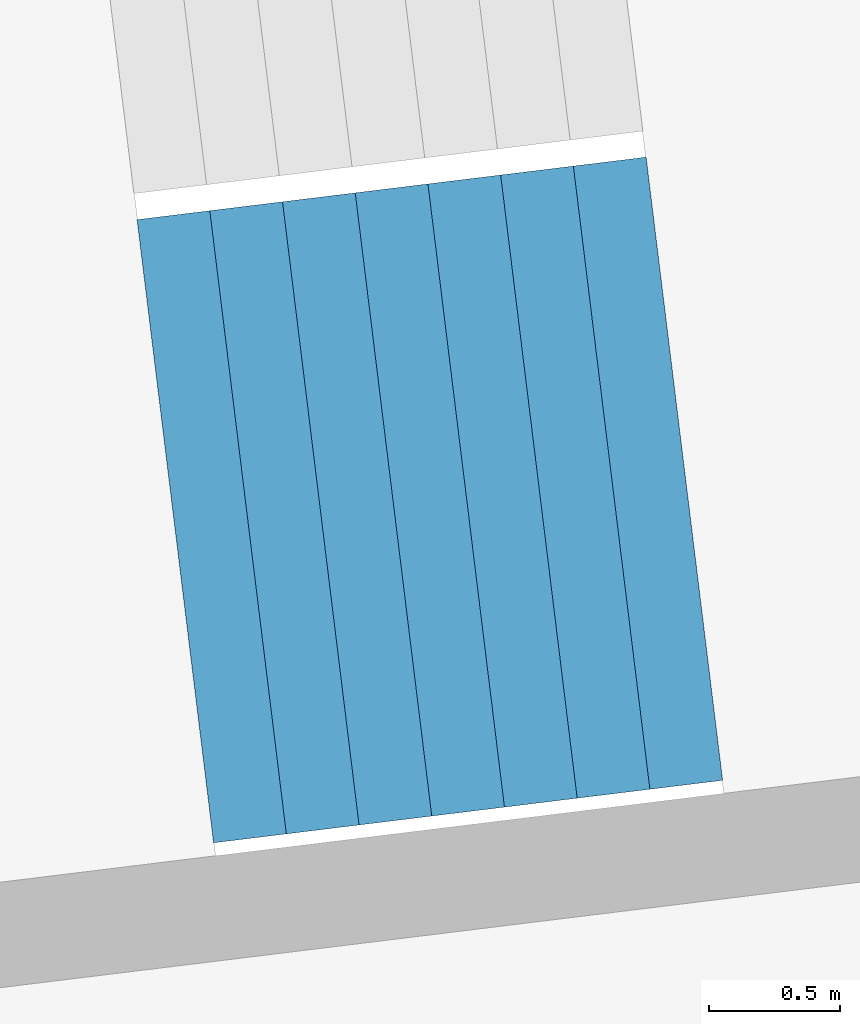
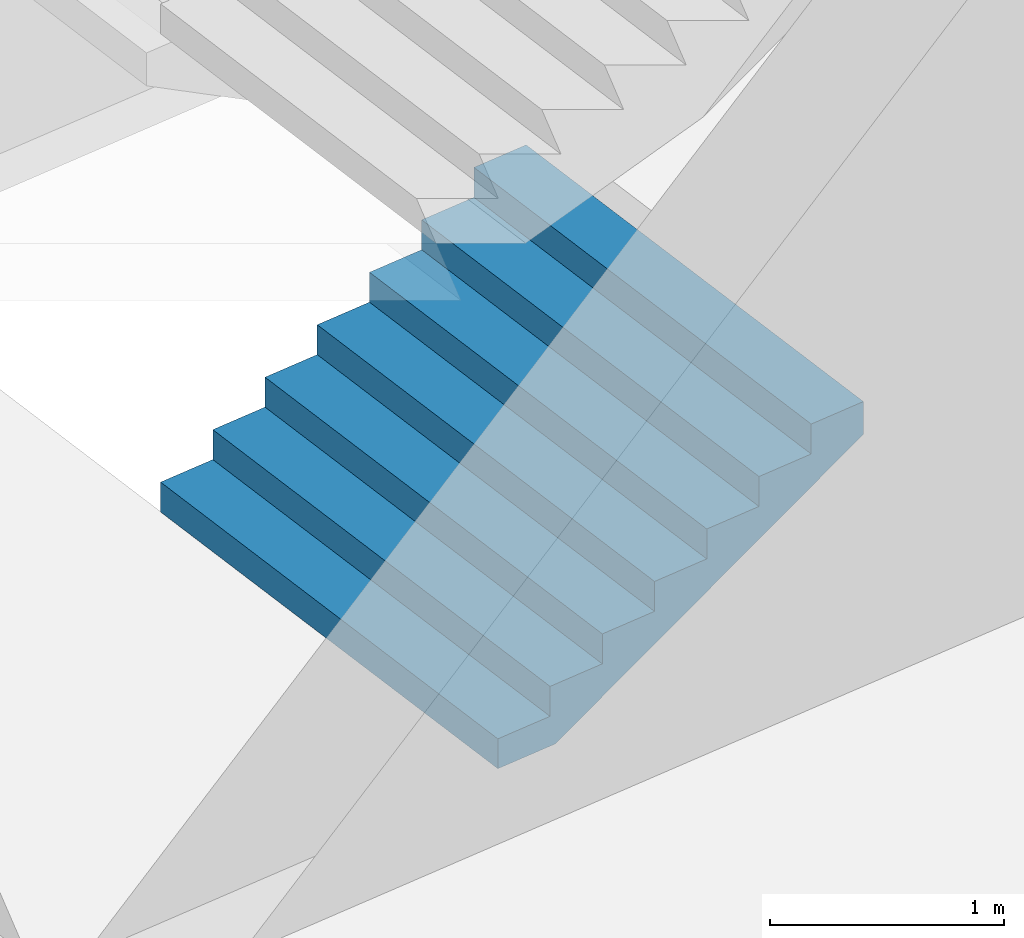
# One storey, part 57 of 73: 1 stair flight, 1 element without a shape of its own.
"""IFC4 building model written with IfcOpenShell, lengths in metres."""

import ifcopenshell
import ifcopenshell.guid

model = None  # the IFC model being written
_history = None  # IfcOwnerHistory: only IFC2X3 demands one
_inside = {}  # id of a spatial element -> (the spatial element, [elements in it])
_under = {}  # id of a project, library or spatial element -> (it, [spatial elements below it])
_declared = {}  # id of a project -> (the project, [libraries it declares])
_typed = {}  # id of a type object -> (the type object, [elements of that type])
_made_of = {}  # id of a material, layer set ... -> (it, [elements and type objects made of it])


def new_model(schema):
    """Start an empty IFC model of exactly this schema.

    Asked for "IFC4X3", IfcOpenShell would pick the latest addendum, in which some entities
    have other attributes; the version numbers below select the first issue.
    IFC2X3 requires an IfcOwnerHistory on every rooted entity: one is made here for all.
    """
    global model, _history
    if schema == "IFC4X3":
        model = ifcopenshell.file(schema_version=(4, 3, 0, 0))
    else:
        model = ifcopenshell.file(schema=schema)
    _inside.clear()
    _under.clear()
    _declared.clear()
    _typed.clear()
    _made_of.clear()
    _history = None
    if model.schema == "IFC2X3":
        org = make("IfcOrganization", Name="unknown")
        user = make(
            "IfcPersonAndOrganization",
            ThePerson=make("IfcPerson", FamilyName="unknown"),
            TheOrganization=org,
        )
        app = make(
            "IfcApplication",
            ApplicationDeveloper=org,
            Version="unknown",
            ApplicationFullName="unknown",
            ApplicationIdentifier="unknown",
        )
        _history = make(
            "IfcOwnerHistory",
            OwningUser=user,
            OwningApplication=app,
            ChangeAction="ADDED",
            CreationDate=0,
        )
    return model


def make(cls, **values):
    """One entity of the class cls with the attributes given. An attribute that is None is left unset."""
    return model.create_entity(
        cls, **{name: value for name, value in values.items() if value is not None}
    )


def rooted(cls, **values):
    """An entity with a GlobalId (a new one), such as an element, a storey or a relation."""
    return make(cls, GlobalId=ifcopenshell.guid.new(), OwnerHistory=_history, **values)


def si_unit(unit_type, name, prefix=None):
    """IfcSIUnit, for example si_unit("LENGTHUNIT", "METRE", prefix="MILLI")."""
    return make("IfcSIUnit", UnitType=unit_type, Prefix=prefix, Name=name)


def assignment(units):
    """IfcUnitAssignment: the units of a project."""
    return None if units is None else make("IfcUnitAssignment", Units=units)


def point(xyz):
    """IfcCartesianPoint."""
    return None if xyz is None else make("IfcCartesianPoint", Coordinates=xyz)


def direction(xyz):
    """IfcDirection."""
    return None if xyz is None else make("IfcDirection", DirectionRatios=xyz)


def frame(location, z_axis=None, x_axis=None):
    """IfcAxis2Placement3D, a coordinate frame: its origin and axes. An axis left out is left unset."""
    return make(
        "IfcAxis2Placement3D",
        Location=point(location),
        Axis=direction(z_axis),
        RefDirection=direction(x_axis),
    )


def origin():
    """The frame at (0, 0, 0) with its axes left unset."""
    return frame((0.0, 0.0, 0.0))


def place(relative_to, where):
    """IfcLocalPlacement: puts the frame where relative to a parent placement (None: the world)."""
    return make(
        "IfcLocalPlacement", PlacementRelTo=relative_to, RelativePlacement=where
    )


def context(
    kind, dimensions, precision=None, world=None, true_north=None, identifier=None
):
    """IfcGeometricRepresentationContext, for example the 3D "Model" context."""
    return make(
        "IfcGeometricRepresentationContext",
        ContextIdentifier=identifier,
        ContextType=kind,
        CoordinateSpaceDimension=dimensions,
        Precision=precision,
        WorldCoordinateSystem=world,
        TrueNorth=true_north,
    )


def subcontext(parent, identifier, kind, view, scale=None):
    """IfcGeometricRepresentationSubContext, for example "Body" below "Model"."""
    return make(
        "IfcGeometricRepresentationSubContext",
        ContextIdentifier=identifier,
        ContextType=kind,
        ParentContext=parent,
        TargetScale=scale,
        TargetView=view,
    )


def project(units=None, contexts=None):
    """IfcProject with its units and contexts."""
    return rooted(
        "IfcProject",
        Name="project",
        RepresentationContexts=contexts,
        UnitsInContext=assignment(units),
    )


def spatial(cls, under=None, at=None, **own):
    """A site, building, storey or space (cls), placed at a placement, below another one or the project."""
    s = rooted(cls, ObjectPlacement=at, **own)
    if under is not None:
        _under.setdefault(under.id(), (under, []))[1].append(s)
    return s


def point_list(points):
    """IfcCartesianPointList2D or 3D."""
    cls = (
        "IfcCartesianPointList2D" if len(points[0]) == 2 else "IfcCartesianPointList3D"
    )
    return make(cls, CoordList=points)


def triangles(points, corners, closed=None, point_numbers=None):
    """IfcTriangulatedFaceSet: each triangle names its three corners, points numbered from 1."""
    return make(
        "IfcTriangulatedFaceSet",
        Coordinates=point_list(points),
        Closed=closed,
        CoordIndex=corners,
        PnIndex=point_numbers,
    )


def shape(context_of_items, identifier, shape_type, items):
    """IfcShapeRepresentation: the items that make up one representation, for example the "Body"."""
    return make(
        "IfcShapeRepresentation",
        ContextOfItems=context_of_items,
        RepresentationIdentifier=identifier,
        RepresentationType=shape_type,
        Items=items,
    )


def material(Name=None, Category=None):
    """IfcMaterial."""
    return make("IfcMaterial", Name=Name, Category=Category)


def made_of(thing, what):
    """Note that an element or type object is made of a material, layer set ...; save() writes the relation."""
    if what is not None:
        _made_of.setdefault(what.id(), (what, []))[1].append(thing)
    return thing


def type_object(cls, material=None, **own):
    """A type object (cls), such as IfcWallType, which elements share."""
    return made_of(rooted(cls, **own), material)


def element(
    cls,
    number,
    at=None,
    inside=None,
    cuts=None,
    type_object=None,
    material=None,
    context=None,
    identifier="Body",
    shape_type=None,
    held_by="IfcProductDefinitionShape",
    body=None,
    shapes=None,
    **own,
):
    """One element of the class cls, such as IfcWall. Its Tag is "e" and its number.

    at: its placement. inside: the storey or other place that contains it. cuts: it is an
    opening in that element (IfcRelVoidsElement). A single representation is given by context,
    identifier, shape_type and body (its items); several are given by shapes. held_by: the class
    of the entity that holds the representations. save() writes the other relations.
    """
    e = rooted(cls, Tag="e%d" % number, ObjectPlacement=at, **own)
    if body is not None:
        shapes = [shape(context, identifier, shape_type, body)]
    if shapes is not None:
        e.Representation = make(held_by, Representations=shapes)
    if inside is not None:
        _inside.setdefault(inside.id(), (inside, []))[1].append(e)
    if cuts is not None:
        rooted(
            "IfcRelVoidsElement", RelatingBuildingElement=cuts, RelatedOpeningElement=e
        )
    if type_object is not None:
        _typed.setdefault(type_object.id(), (type_object, []))[1].append(e)
    return made_of(e, material)


def aggregate(whole, parts):
    """IfcRelAggregates: a whole, such as a stair, and the parts it consists of."""
    return rooted("IfcRelAggregates", RelatingObject=whole, RelatedObjects=parts)


def save(model, path):
    """Write the relations noted so far, then the file.

    IfcRelAggregates (storeys below a building ...), IfcRelContainedInSpatialStructure (elements
    in a storey), IfcRelDefinesByType, IfcRelAssociatesMaterial and IfcRelDeclares: one each for
    every whole, place, type object, material and project.
    """
    for whole, parts in _under.values():
        aggregate(whole, parts)
    for where, things in _inside.values():
        rooted(
            "IfcRelContainedInSpatialStructure",
            RelatedElements=things,
            RelatingStructure=where,
        )
    for kind, things in _typed.values():
        rooted("IfcRelDefinesByType", RelatedObjects=things, RelatingType=kind)
    for what, things in _made_of.values():
        rooted("IfcRelAssociatesMaterial", RelatedObjects=things, RelatingMaterial=what)
    for by, libraries in _declared.values():
        rooted("IfcRelDeclares", RelatingContext=by, RelatedDefinitions=libraries)
    model.write(path)


model = new_model("IFC4")

# Units and contexts
model_context = context("Model", 3, precision=1e-05, world=origin(), true_north=direction((0.0, 1.0)))
body_context = subcontext(model_context, "Body", "Model", "MODEL_VIEW")
ifc_project = project(units=[si_unit("LENGTHUNIT", "METRE"), si_unit("AREAUNIT", "SQUARE_METRE"), si_unit("VOLUMEUNIT", "CUBIC_METRE"), si_unit("PLANEANGLEUNIT", "RADIAN"), si_unit("MASSUNIT", "GRAM", prefix="KILO")], contexts=[model_context])

# Site, building, storey
site_placement = place(None, origin())
site = spatial("IfcSite", under=ifc_project, at=site_placement, CompositionType="ELEMENT")
building_placement = place(site_placement, origin())
building = spatial("IfcBuilding", under=site, at=building_placement, Name="Lantaw Convention Tower", CompositionType="ELEMENT")
storey_placement = place(building_placement, frame((0.0, 0.0, 22.0)))
storey = spatial("IfcBuildingStorey", under=building, at=storey_placement, Name="L03", CompositionType="ELEMENT", Elevation=22.0)

# Stair, stair flight
ifc_material = material(Name="Concrete C35/45", Category="concrete")
stair_type = type_object("IfcStairType", Name="Exit stair 2400 riser 156.25 in 4 flights", PredefinedType="HALF_TURN_STAIR", material=ifc_material)
stair_placement = place(storey_placement, origin())
stair = element("IfcStair", 1, at=stair_placement, inside=storey, type_object=stair_type, Name="Podium exit stair P1 L03", PredefinedType="HALF_TURN_STAIR")
stair_flight_type = type_object("IfcStairFlightType", Name="Stair flight 2400 riser 156.25", PredefinedType="STRAIGHT", material=ifc_material)
stair_flight_placement = place(storey_placement, frame((38.2763671875, 3.4404296875, 0.0), z_axis=(0.0, 0.0, 1.0), x_axis=(0.992546151641, 0.121869343405, 0.0)))
stair_flight = element("IfcStairFlight", 2, at=stair_flight_placement, type_object=stair_flight_type, Name="P1 flight 1", NumberOfRisers=8, NumberOfTreads=7, PredefinedType="STRAIGHT", RiserHeight=0.15625, TreadLength=0.28, context=body_context, shape_type="Tessellation", body=[
    triangles([(0.0, 1.199951171875, 0.0), (0.0, 1.199951171875, 0.15625), (0.28, 1.199951171875, 0.0), (0.28, 1.199951171875, 0.15625), (0.28, 1.199951171875, 0.3125), (0.3076200632058044, 1.199951171875, 0.0), (0.3076200632058044, 1.199951171875, 0.3125), (0.56, 1.199951171875, 0.14083701830033238), (0.56, 1.199951171875, 0.3125), (0.56, 1.199951171875, 0.46875), (0.8400000000000001, 1.199951171875, 0.29708701830033235), (0.8400000000000001, 1.199951171875, 0.46875), (0.8400000000000001, 1.199951171875, 0.625), (1.12, 1.199951171875, 0.45333701830033235), (1.12, 1.199951171875, 0.625), (1.12, 1.199951171875, 0.78125), (1.4000000000000001, 1.199951171875, 0.6095870183003324), (1.4000000000000001, 1.199951171875, 0.78125), (1.4000000000000001, 1.199951171875, 0.9375), (1.6800000000000002, 1.199951171875, 0.7658370183003324), (1.6800000000000002, 1.199951171875, 0.9375), (1.6800000000000002, 1.199951171875, 1.09375), (1.9600000000000002, 1.199951171875, 0.9220870183003324), (1.9600000000000002, 1.199951171875, 1.09375), (0.0, -1.199951171875, 0.0), (0.0, -1.199951171875, 0.15625), (0.28, -1.199951171875, 0.0), (0.28, -1.199951171875, 0.15625), (0.28, -1.199951171875, 0.3125), (0.3076200632058044, -1.199951171875, 0.0), (0.3076200632058044, -1.199951171875, 0.3125), (0.56, -1.199951171875, 0.14083701830033238), (0.56, -1.199951171875, 0.3125), (0.56, -1.199951171875, 0.46875), (0.8400000000000001, -1.199951171875, 0.29708701830033235), (0.8400000000000001, -1.199951171875, 0.46875), (0.8400000000000001, -1.199951171875, 0.625), (1.12, -1.199951171875, 0.45333701830033235), (1.12, -1.199951171875, 0.625), (1.12, -1.199951171875, 0.78125), (1.4000000000000001, -1.199951171875, 0.6095870183003324), (1.4000000000000001, -1.199951171875, 0.78125), (1.4000000000000001, -1.199951171875, 0.9375), (1.6800000000000002, -1.199951171875, 0.7658370183003324), (1.6800000000000002, -1.199951171875, 0.9375), (1.6800000000000002, -1.199951171875, 1.09375), (1.9600000000000002, -1.199951171875, 0.9220870183003324), (1.9600000000000002, -1.199951171875, 1.09375), (0.0, 0.239990234375, 0.15625), (0.0, 0.239990234375, 0.0), (0.0, 0.1919921875, 0.15625), (0.0, 0.1919921875, 0.0), (0.0, 0.143994140625, 0.15625), (0.0, 0.143994140625, 0.0), (0.0, 0.09599609375, 0.15625), (0.0, 0.09599609375, 0.0), (0.0, 0.047998046875, 0.15625), (0.0, 0.047998046875, 0.0), (0.0, 0.0, 0.15625), (0.0, 0.0, 0.0), (0.0, -0.047998046875, 0.15625), (0.0, -0.047998046875, 0.0), (0.0, -0.09599609375, 0.15625), (0.0, -0.09599609375, 0.0), (0.0, -0.143994140625, 0.15625), (0.0, -0.143994140625, 0.0), (0.0, -0.1919921875, 0.15625), (0.0, -0.1919921875, 0.0), (0.0, -0.239990234375, 0.15625), (0.0, -0.239990234375, 0.0), (0.28, 0.239990234375, 0.3125), (0.28, 0.239990234375, 0.15625), (0.28, 0.1919921875, 0.3125), (0.28, 0.1919921875, 0.15625), (0.28, 0.143994140625, 0.3125), (0.28, 0.143994140625, 0.15625), (0.28, 0.09599609375, 0.3125), (0.28, 0.09599609375, 0.15625), (0.28, 0.047998046875, 0.3125), (0.28, 0.047998046875, 0.15625), (0.28, 0.0, 0.3125), (0.28, 0.0, 0.15625), (0.28, -0.047998046875, 0.3125), (0.28, -0.047998046875, 0.15625), (0.28, -0.09599609375, 0.3125), (0.28, -0.09599609375, 0.15625), (0.28, -0.143994140625, 0.3125), (0.28, -0.143994140625, 0.15625), (0.28, -0.1919921875, 0.3125), (0.28, -0.1919921875, 0.15625), (0.28, -0.239990234375, 0.3125), (0.28, -0.239990234375, 0.15625), (0.56, 0.239990234375, 0.46875), (0.56, 0.239990234375, 0.3125), (0.56, 0.1919921875, 0.46875), (0.56, 0.1919921875, 0.3125), (0.56, 0.143994140625, 0.46875), (0.56, 0.143994140625, 0.3125), (0.56, 0.09599609375, 0.46875), (0.56, 0.09599609375, 0.3125), (0.56, 0.047998046875, 0.46875), (0.56, 0.047998046875, 0.3125), (0.56, 0.0, 0.46875), (0.56, 0.0, 0.3125), (0.56, -0.047998046875, 0.46875), (0.56, -0.047998046875, 0.3125), (0.56, -0.09599609375, 0.46875), (0.56, -0.09599609375, 0.3125), (0.56, -0.143994140625, 0.46875), (0.56, -0.143994140625, 0.3125), (0.56, -0.1919921875, 0.46875), (0.56, -0.1919921875, 0.3125), (0.56, -0.239990234375, 0.46875), (0.56, -0.239990234375, 0.3125), (0.8400000000000001, 0.239990234375, 0.625), (0.8400000000000001, 0.239990234375, 0.46875), (0.8400000000000001, 0.1919921875, 0.625), (0.8400000000000001, 0.1919921875, 0.46875), (0.8400000000000001, 0.143994140625, 0.625), (0.8400000000000001, 0.143994140625, 0.46875), (0.8400000000000001, 0.09599609375, 0.625), (0.8400000000000001, 0.09599609375, 0.46875), (0.8400000000000001, 0.047998046875, 0.625), (0.8400000000000001, 0.047998046875, 0.46875), (0.8400000000000001, 0.0, 0.625), (0.8400000000000001, 0.0, 0.46875), (0.8400000000000001, -0.047998046875, 0.625), (0.8400000000000001, -0.047998046875, 0.46875), (0.8400000000000001, -0.09599609375, 0.625), (0.8400000000000001, -0.09599609375, 0.46875), (0.8400000000000001, -0.143994140625, 0.625), (0.8400000000000001, -0.143994140625, 0.46875), (0.8400000000000001, -0.1919921875, 0.625), (0.8400000000000001, -0.1919921875, 0.46875), (0.8400000000000001, -0.239990234375, 0.625), (0.8400000000000001, -0.239990234375, 0.46875), (1.12, 0.239990234375, 0.78125), (1.12, 0.239990234375, 0.625), (1.12, 0.1919921875, 0.78125), (1.12, 0.1919921875, 0.625), (1.12, 0.143994140625, 0.78125), (1.12, 0.143994140625, 0.625), (1.12, 0.09599609375, 0.78125), (1.12, 0.09599609375, 0.625), (1.12, 0.047998046875, 0.78125), (1.12, 0.047998046875, 0.625), (1.12, 0.0, 0.78125), (1.12, 0.0, 0.625), (1.12, -0.047998046875, 0.78125), (1.12, -0.047998046875, 0.625), (1.12, -0.09599609375, 0.78125), (1.12, -0.09599609375, 0.625), (1.12, -0.143994140625, 0.78125), (1.12, -0.143994140625, 0.625), (1.12, -0.1919921875, 0.78125), (1.12, -0.1919921875, 0.625), (1.12, -0.239990234375, 0.78125), (1.12, -0.239990234375, 0.625), (1.4000000000000001, 0.239990234375, 0.9375), (1.4000000000000001, 0.239990234375, 0.78125), (1.4000000000000001, 0.1919921875, 0.9375), (1.4000000000000001, 0.1919921875, 0.78125), (1.4000000000000001, 0.143994140625, 0.9375), (1.4000000000000001, 0.143994140625, 0.78125), (1.4000000000000001, 0.09599609375, 0.9375), (1.4000000000000001, 0.09599609375, 0.78125), (1.4000000000000001, 0.047998046875, 0.9375), (1.4000000000000001, 0.047998046875, 0.78125), (1.4000000000000001, 0.0, 0.9375), (1.4000000000000001, 0.0, 0.78125), (1.4000000000000001, -0.047998046875, 0.9375), (1.4000000000000001, -0.047998046875, 0.78125), (1.4000000000000001, -0.09599609375, 0.9375), (1.4000000000000001, -0.09599609375, 0.78125), (1.4000000000000001, -0.143994140625, 0.9375), (1.4000000000000001, -0.143994140625, 0.78125), (1.4000000000000001, -0.1919921875, 0.9375), (1.4000000000000001, -0.1919921875, 0.78125), (1.4000000000000001, -0.239990234375, 0.9375), (1.4000000000000001, -0.239990234375, 0.78125), (1.6800000000000002, 0.239990234375, 1.09375), (1.6800000000000002, 0.239990234375, 0.9375), (1.6800000000000002, 0.1919921875, 1.09375), (1.6800000000000002, 0.1919921875, 0.9375), (1.6800000000000002, 0.143994140625, 1.09375), (1.6800000000000002, 0.143994140625, 0.9375), (1.6800000000000002, 0.09599609375, 1.09375), (1.6800000000000002, 0.09599609375, 0.9375), (1.6800000000000002, 0.047998046875, 1.09375), (1.6800000000000002, 0.047998046875, 0.9375), (1.6800000000000002, 0.0, 1.09375), (1.6800000000000002, 0.0, 0.9375), (1.6800000000000002, -0.047998046875, 1.09375), (1.6800000000000002, -0.047998046875, 0.9375), (1.6800000000000002, -0.09599609375, 1.09375), (1.6800000000000002, -0.09599609375, 0.9375), (1.6800000000000002, -0.143994140625, 1.09375), (1.6800000000000002, -0.143994140625, 0.9375), (1.6800000000000002, -0.1919921875, 1.09375), (1.6800000000000002, -0.1919921875, 0.9375), (1.6800000000000002, -0.239990234375, 1.09375), (1.6800000000000002, -0.239990234375, 0.9375), (0.3076200632058044, 0.239990234375, 0.3125), (0.3076200632058044, 0.1919921875, 0.3125), (0.3076200632058044, 0.143994140625, 0.3125), (0.3076200632058044, 0.09599609375, 0.3125), (0.3076200632058044, 0.047998046875, 0.3125), (0.3076200632058044, 0.0, 0.3125), (0.3076200632058044, -0.047998046875, 0.3125), (0.3076200632058044, -0.09599609375, 0.3125), (0.3076200632058044, -0.143994140625, 0.3125), (0.3076200632058044, -0.1919921875, 0.3125), (0.3076200632058044, -0.239990234375, 0.3125), (1.9600000000000002, 0.239990234375, 1.09375), (1.9600000000000002, 0.1919921875, 1.09375), (1.9600000000000002, 0.143994140625, 1.09375), (1.9600000000000002, 0.09599609375, 1.09375), (1.9600000000000002, 0.047998046875, 1.09375), (1.9600000000000002, 0.0, 1.09375), (1.9600000000000002, -0.047998046875, 1.09375), (1.9600000000000002, -0.09599609375, 1.09375), (1.9600000000000002, -0.143994140625, 1.09375), (1.9600000000000002, -0.1919921875, 1.09375), (1.9600000000000002, -0.239990234375, 1.09375), (1.9600000000000002, 0.239990234375, 0.9220870183003324), (1.9600000000000002, 0.1919921875, 0.9220870183003324), (1.9600000000000002, 0.143994140625, 0.9220870183003324), (1.9600000000000002, 0.09599609375, 0.9220870183003324), (1.9600000000000002, 0.047998046875, 0.9220870183003324), (1.9600000000000002, 0.0, 0.9220870183003324), (1.9600000000000002, -0.047998046875, 0.9220870183003324), (1.9600000000000002, -0.09599609375, 0.9220870183003324), (1.9600000000000002, -0.143994140625, 0.9220870183003324), (1.9600000000000002, -0.1919921875, 0.9220870183003324), (1.9600000000000002, -0.239990234375, 0.9220870183003324), (1.6800000000000002, 0.239990234375, 0.7658370183003324), (1.6800000000000002, 0.1919921875, 0.7658370183003324), (1.6800000000000002, 0.143994140625, 0.7658370183003324), (1.6800000000000002, 0.09599609375, 0.7658370183003324), (1.6800000000000002, 0.047998046875, 0.7658370183003324), (1.6800000000000002, 0.0, 0.7658370183003324), (1.6800000000000002, -0.047998046875, 0.7658370183003324), (1.6800000000000002, -0.09599609375, 0.7658370183003324), (1.6800000000000002, -0.143994140625, 0.7658370183003324), (1.6800000000000002, -0.1919921875, 0.7658370183003324), (1.6800000000000002, -0.239990234375, 0.7658370183003324), (1.4000000000000001, 0.239990234375, 0.6095870183003324), (1.4000000000000001, 0.1919921875, 0.6095870183003324), (1.4000000000000001, 0.143994140625, 0.6095870183003324), (1.4000000000000001, 0.09599609375, 0.6095870183003324), (1.4000000000000001, 0.047998046875, 0.6095870183003324), (1.4000000000000001, 0.0, 0.6095870183003324), (1.4000000000000001, -0.047998046875, 0.6095870183003324), (1.4000000000000001, -0.09599609375, 0.6095870183003324), (1.4000000000000001, -0.143994140625, 0.6095870183003324), (1.4000000000000001, -0.1919921875, 0.6095870183003324), (1.4000000000000001, -0.239990234375, 0.6095870183003324), (1.12, 0.239990234375, 0.45333701830033235), (1.12, 0.1919921875, 0.45333701830033235), (1.12, 0.143994140625, 0.45333701830033235), (1.12, 0.09599609375, 0.45333701830033235), (1.12, 0.047998046875, 0.45333701830033235), (1.12, 0.0, 0.45333701830033235), (1.12, -0.047998046875, 0.45333701830033235), (1.12, -0.09599609375, 0.45333701830033235), (1.12, -0.143994140625, 0.45333701830033235), (1.12, -0.1919921875, 0.45333701830033235), (1.12, -0.239990234375, 0.45333701830033235), (0.8400000000000001, 0.239990234375, 0.29708701830033235), (0.8400000000000001, 0.1919921875, 0.29708701830033235), (0.8400000000000001, 0.143994140625, 0.29708701830033235), (0.8400000000000001, 0.09599609375, 0.29708701830033235), (0.8400000000000001, 0.047998046875, 0.29708701830033235), (0.8400000000000001, 0.0, 0.29708701830033235), (0.8400000000000001, -0.047998046875, 0.29708701830033235), (0.8400000000000001, -0.09599609375, 0.29708701830033235), (0.8400000000000001, -0.143994140625, 0.29708701830033235), (0.8400000000000001, -0.1919921875, 0.29708701830033235), (0.8400000000000001, -0.239990234375, 0.29708701830033235), (0.56, 0.239990234375, 0.14083701830033238), (0.56, 0.1919921875, 0.14083701830033238), (0.56, 0.143994140625, 0.14083701830033238), (0.56, 0.09599609375, 0.14083701830033238), (0.56, 0.047998046875, 0.14083701830033238), (0.56, 0.0, 0.14083701830033238), (0.56, -0.047998046875, 0.14083701830033238), (0.56, -0.09599609375, 0.14083701830033238), (0.56, -0.143994140625, 0.14083701830033238), (0.56, -0.1919921875, 0.14083701830033238), (0.56, -0.239990234375, 0.14083701830033238), (0.3076200632058044, 0.239990234375, 0.0), (0.3076200632058044, 0.1919921875, 0.0), (0.3076200632058044, 0.143994140625, 0.0), (0.3076200632058044, 0.09599609375, 0.0), (0.3076200632058044, 0.047998046875, 0.0), (0.3076200632058044, 0.0, 0.0), (0.3076200632058044, -0.047998046875, 0.0), (0.3076200632058044, -0.09599609375, 0.0), (0.3076200632058044, -0.143994140625, 0.0), (0.3076200632058044, -0.1919921875, 0.0), (0.3076200632058044, -0.239990234375, 0.0), (0.28, 0.239990234375, 0.0), (0.28, 0.1919921875, 0.0), (0.28, 0.143994140625, 0.0), (0.28, 0.09599609375, 0.0), (0.28, 0.047998046875, 0.0), (0.28, 0.0, 0.0), (0.28, -0.047998046875, 0.0), (0.28, -0.09599609375, 0.0), (0.28, -0.143994140625, 0.0), (0.28, -0.1919921875, 0.0), (0.28, -0.239990234375, 0.0)], [[1, 4, 3], [1, 2, 4], [3, 4, 6], [4, 7, 6], [4, 5, 7], [6, 9, 8], [6, 7, 9], [8, 9, 11], [9, 12, 11], [9, 10, 12], [11, 12, 14], [12, 15, 14], [12, 13, 15], [14, 15, 17], [15, 18, 17], [15, 16, 18], [17, 18, 20], [18, 21, 20], [18, 19, 21], [20, 21, 23], [21, 24, 23], [21, 22, 24], [25, 27, 28], [25, 28, 26], [27, 30, 28], [28, 30, 31], [28, 31, 29], [30, 32, 33], [30, 33, 31], [32, 35, 33], [33, 35, 36], [33, 36, 34], [35, 38, 36], [36, 38, 39], [36, 39, 37], [38, 41, 39], [39, 41, 42], [39, 42, 40], [41, 44, 42], [42, 44, 45], [42, 45, 43], [44, 47, 45], [45, 47, 48], [45, 48, 46], [1, 49, 2], [1, 50, 49], [50, 51, 49], [50, 52, 51], [52, 53, 51], [52, 54, 53], [54, 55, 53], [54, 56, 55], [56, 57, 55], [56, 58, 57], [58, 59, 57], [58, 60, 59], [60, 61, 59], [60, 62, 61], [62, 63, 61], [62, 64, 63], [64, 65, 63], [64, 66, 65], [66, 67, 65], [66, 68, 67], [68, 69, 67], [68, 70, 69], [70, 26, 69], [70, 25, 26], [4, 71, 5], [4, 72, 71], [72, 73, 71], [72, 74, 73], [74, 75, 73], [74, 76, 75], [76, 77, 75], [76, 78, 77], [78, 79, 77], [78, 80, 79], [80, 81, 79], [80, 82, 81], [82, 83, 81], [82, 84, 83], [84, 85, 83], [84, 86, 85], [86, 87, 85], [86, 88, 87], [88, 89, 87], [88, 90, 89], [90, 91, 89], [90, 92, 91], [92, 29, 91], [92, 28, 29], [9, 93, 10], [9, 94, 93], [94, 95, 93], [94, 96, 95], [96, 97, 95], [96, 98, 97], [98, 99, 97], [98, 100, 99], [100, 101, 99], [100, 102, 101], [102, 103, 101], [102, 104, 103], [104, 105, 103], [104, 106, 105], [106, 107, 105], [106, 108, 107], [108, 109, 107], [108, 110, 109], [110, 111, 109], [110, 112, 111], [112, 113, 111], [112, 114, 113], [114, 34, 113], [114, 33, 34], [12, 115, 13], [12, 116, 115], [116, 117, 115], [116, 118, 117], [118, 119, 117], [118, 120, 119], [120, 121, 119], [120, 122, 121], [122, 123, 121], [122, 124, 123], [124, 125, 123], [124, 126, 125], [126, 127, 125], [126, 128, 127], [128, 129, 127], [128, 130, 129], [130, 131, 129], [130, 132, 131], [132, 133, 131], [132, 134, 133], [134, 135, 133], [134, 136, 135], [136, 37, 135], [136, 36, 37], [15, 137, 16], [15, 138, 137], [138, 139, 137], [138, 140, 139], [140, 141, 139], [140, 142, 141], [142, 143, 141], [142, 144, 143], [144, 145, 143], [144, 146, 145], [146, 147, 145], [146, 148, 147], [148, 149, 147], [148, 150, 149], [150, 151, 149], [150, 152, 151], [152, 153, 151], [152, 154, 153], [154, 155, 153], [154, 156, 155], [156, 157, 155], [156, 158, 157], [158, 40, 157], [158, 39, 40], [18, 159, 19], [18, 160, 159], [160, 161, 159], [160, 162, 161], [162, 163, 161], [162, 164, 163], [164, 165, 163], [164, 166, 165], [166, 167, 165], [166, 168, 167], [168, 169, 167], [168, 170, 169], [170, 171, 169], [170, 172, 171], [172, 173, 171], [172, 174, 173], [174, 175, 173], [174, 176, 175], [176, 177, 175], [176, 178, 177], [178, 179, 177], [178, 180, 179], [180, 43, 179], [180, 42, 43], [21, 181, 22], [21, 182, 181], [182, 183, 181], [182, 184, 183], [184, 185, 183], [184, 186, 185], [186, 187, 185], [186, 188, 187], [188, 189, 187], [188, 190, 189], [190, 191, 189], [190, 192, 191], [192, 193, 191], [192, 194, 193], [194, 195, 193], [194, 196, 195], [196, 197, 195], [196, 198, 197], [198, 199, 197], [198, 200, 199], [200, 201, 199], [200, 202, 201], [202, 46, 201], [202, 45, 46], [2, 72, 4], [2, 49, 72], [49, 74, 72], [49, 51, 74], [51, 76, 74], [51, 53, 76], [53, 78, 76], [53, 55, 78], [55, 80, 78], [55, 57, 80], [57, 82, 80], [57, 59, 82], [59, 84, 82], [59, 61, 84], [61, 86, 84], [61, 63, 86], [63, 88, 86], [63, 65, 88], [65, 90, 88], [65, 67, 90], [67, 92, 90], [67, 69, 92], [69, 28, 92], [69, 26, 28], [5, 203, 7], [5, 71, 203], [71, 204, 203], [71, 73, 204], [73, 205, 204], [73, 75, 205], [75, 206, 205], [75, 77, 206], [77, 207, 206], [77, 79, 207], [79, 208, 207], [79, 81, 208], [81, 209, 208], [81, 83, 209], [83, 210, 209], [83, 85, 210], [85, 211, 210], [85, 87, 211], [87, 212, 211], [87, 89, 212], [89, 213, 212], [89, 91, 213], [91, 31, 213], [91, 29, 31], [7, 94, 9], [7, 203, 94], [203, 96, 94], [203, 204, 96], [204, 98, 96], [204, 205, 98], [205, 100, 98], [205, 206, 100], [206, 102, 100], [206, 207, 102], [207, 104, 102], [207, 208, 104], [208, 106, 104], [208, 209, 106], [209, 108, 106], [209, 210, 108], [210, 110, 108], [210, 211, 110], [211, 112, 110], [211, 212, 112], [212, 114, 112], [212, 213, 114], [213, 33, 114], [213, 31, 33], [10, 116, 12], [10, 93, 116], [93, 118, 116], [93, 95, 118], [95, 120, 118], [95, 97, 120], [97, 122, 120], [97, 99, 122], [99, 124, 122], [99, 101, 124], [101, 126, 124], [101, 103, 126], [103, 128, 126], [103, 105, 128], [105, 130, 128], [105, 107, 130], [107, 132, 130], [107, 109, 132], [109, 134, 132], [109, 111, 134], [111, 136, 134], [111, 113, 136], [113, 36, 136], [113, 34, 36], [13, 138, 15], [13, 115, 138], [115, 140, 138], [115, 117, 140], [117, 142, 140], [117, 119, 142], [119, 144, 142], [119, 121, 144], [121, 146, 144], [121, 123, 146], [123, 148, 146], [123, 125, 148], [125, 150, 148], [125, 127, 150], [127, 152, 150], [127, 129, 152], [129, 154, 152], [129, 131, 154], [131, 156, 154], [131, 133, 156], [133, 158, 156], [133, 135, 158], [135, 39, 158], [135, 37, 39], [16, 160, 18], [16, 137, 160], [137, 162, 160], [137, 139, 162], [139, 164, 162], [139, 141, 164], [141, 166, 164], [141, 143, 166], [143, 168, 166], [143, 145, 168], [145, 170, 168], [145, 147, 170], [147, 172, 170], [147, 149, 172], [149, 174, 172], [149, 151, 174], [151, 176, 174], [151, 153, 176], [153, 178, 176], [153, 155, 178], [155, 180, 178], [155, 157, 180], [157, 42, 180], [157, 40, 42], [19, 182, 21], [19, 159, 182], [159, 184, 182], [159, 161, 184], [161, 186, 184], [161, 163, 186], [163, 188, 186], [163, 165, 188], [165, 190, 188], [165, 167, 190], [167, 192, 190], [167, 169, 192], [169, 194, 192], [169, 171, 194], [171, 196, 194], [171, 173, 196], [173, 198, 196], [173, 175, 198], [175, 200, 198], [175, 177, 200], [177, 202, 200], [177, 179, 202], [179, 45, 202], [179, 43, 45], [22, 214, 24], [22, 181, 214], [181, 215, 214], [181, 183, 215], [183, 216, 215], [183, 185, 216], [185, 217, 216], [185, 187, 217], [187, 218, 217], [187, 189, 218], [189, 219, 218], [189, 191, 219], [191, 220, 219], [191, 193, 220], [193, 221, 220], [193, 195, 221], [195, 222, 221], [195, 197, 222], [197, 223, 222], [197, 199, 223], [199, 224, 223], [199, 201, 224], [201, 48, 224], [201, 46, 48], [24, 225, 23], [24, 214, 225], [214, 226, 225], [214, 215, 226], [215, 227, 226], [215, 216, 227], [216, 228, 227], [216, 217, 228], [217, 229, 228], [217, 218, 229], [218, 230, 229], [218, 219, 230], [219, 231, 230], [219, 220, 231], [220, 232, 231], [220, 221, 232], [221, 233, 232], [221, 222, 233], [222, 234, 233], [222, 223, 234], [223, 235, 234], [223, 224, 235], [224, 47, 235], [224, 48, 47], [23, 236, 20], [23, 225, 236], [225, 237, 236], [225, 226, 237], [226, 238, 237], [226, 227, 238], [227, 239, 238], [227, 228, 239], [228, 240, 239], [228, 229, 240], [229, 241, 240], [229, 230, 241], [230, 242, 241], [230, 231, 242], [231, 243, 242], [231, 232, 243], [232, 244, 243], [232, 233, 244], [233, 245, 244], [233, 234, 245], [234, 246, 245], [234, 235, 246], [235, 44, 246], [235, 47, 44], [20, 247, 17], [20, 236, 247], [236, 248, 247], [236, 237, 248], [237, 249, 248], [237, 238, 249], [238, 250, 249], [238, 239, 250], [239, 251, 250], [239, 240, 251], [240, 252, 251], [240, 241, 252], [241, 253, 252], [241, 242, 253], [242, 254, 253], [242, 243, 254], [243, 255, 254], [243, 244, 255], [244, 256, 255], [244, 245, 256], [245, 257, 256], [245, 246, 257], [246, 41, 257], [246, 44, 41], [17, 258, 14], [17, 247, 258], [247, 259, 258], [247, 248, 259], [248, 260, 259], [248, 249, 260], [249, 261, 260], [249, 250, 261], [250, 262, 261], [250, 251, 262], [251, 263, 262], [251, 252, 263], [252, 264, 263], [252, 253, 264], [253, 265, 264], [253, 254, 265], [254, 266, 265], [254, 255, 266], [255, 267, 266], [255, 256, 267], [256, 268, 267], [256, 257, 268], [257, 38, 268], [257, 41, 38], [14, 269, 11], [14, 258, 269], [258, 270, 269], [258, 259, 270], [259, 271, 270], [259, 260, 271], [260, 272, 271], [260, 261, 272], [261, 273, 272], [261, 262, 273], [262, 274, 273], [262, 263, 274], [263, 275, 274], [263, 264, 275], [264, 276, 275], [264, 265, 276], [265, 277, 276], [265, 266, 277], [266, 278, 277], [266, 267, 278], [267, 279, 278], [267, 268, 279], [268, 35, 279], [268, 38, 35], [11, 280, 8], [11, 269, 280], [269, 281, 280], [269, 270, 281], [270, 282, 281], [270, 271, 282], [271, 283, 282], [271, 272, 283], [272, 284, 283], [272, 273, 284], [273, 285, 284], [273, 274, 285], [274, 286, 285], [274, 275, 286], [275, 287, 286], [275, 276, 287], [276, 288, 287], [276, 277, 288], [277, 289, 288], [277, 278, 289], [278, 290, 289], [278, 279, 290], [279, 32, 290], [279, 35, 32], [8, 291, 6], [8, 280, 291], [280, 292, 291], [280, 281, 292], [281, 293, 292], [281, 282, 293], [282, 294, 293], [282, 283, 294], [283, 295, 294], [283, 284, 295], [284, 296, 295], [284, 285, 296], [285, 297, 296], [285, 286, 297], [286, 298, 297], [286, 287, 298], [287, 299, 298], [287, 288, 299], [288, 300, 299], [288, 289, 300], [289, 301, 300], [289, 290, 301], [290, 30, 301], [290, 32, 30], [6, 302, 3], [6, 291, 302], [291, 303, 302], [291, 292, 303], [292, 304, 303], [292, 293, 304], [293, 305, 304], [293, 294, 305], [294, 306, 305], [294, 295, 306], [295, 307, 306], [295, 296, 307], [296, 308, 307], [296, 297, 308], [297, 309, 308], [297, 298, 309], [298, 310, 309], [298, 299, 310], [299, 311, 310], [299, 300, 311], [300, 312, 311], [300, 301, 312], [301, 27, 312], [301, 30, 27], [3, 50, 1], [3, 302, 50], [302, 52, 50], [302, 303, 52], [303, 54, 52], [303, 304, 54], [304, 56, 54], [304, 305, 56], [305, 58, 56], [305, 306, 58], [306, 60, 58], [306, 307, 60], [307, 62, 60], [307, 308, 62], [308, 64, 62], [308, 309, 64], [309, 66, 64], [309, 310, 66], [310, 68, 66], [310, 311, 68], [311, 70, 68], [311, 312, 70], [312, 25, 70], [312, 27, 25]], closed=True),
])
aggregate(stair, [stair_flight])

save(model, "model.ifc")
